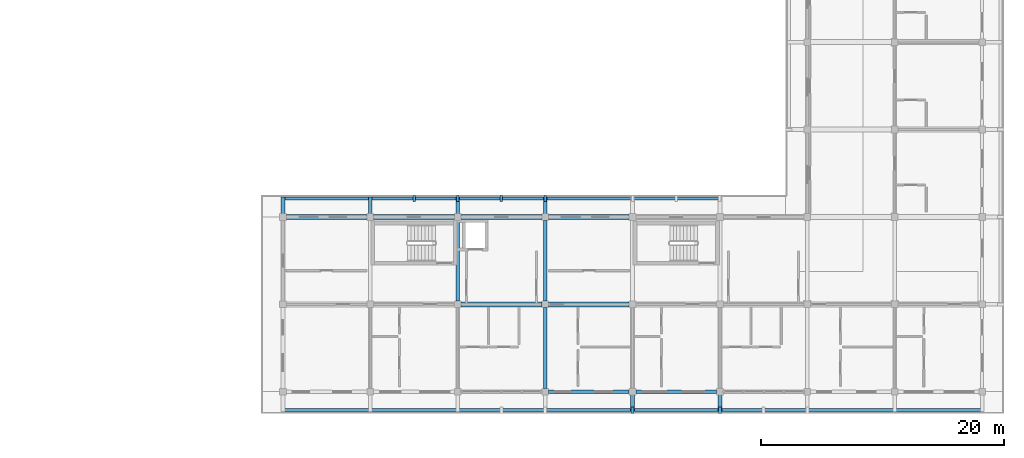
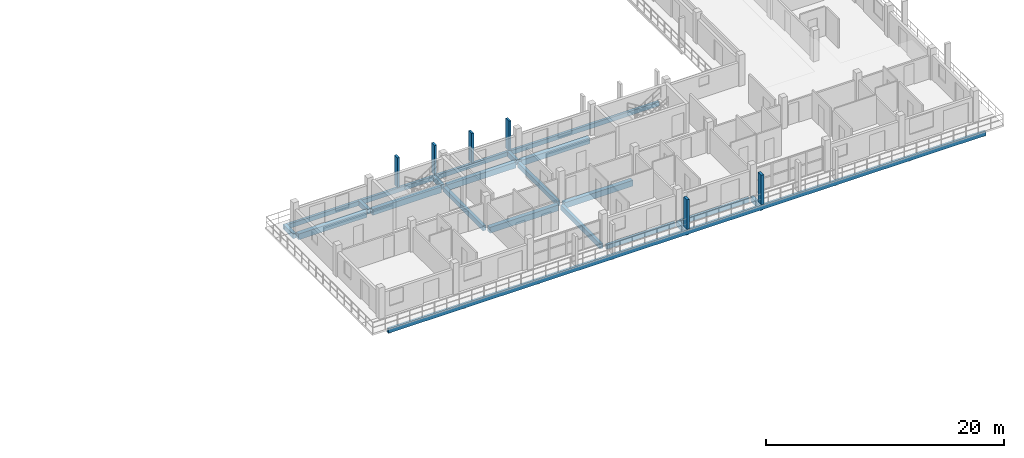
# One storey, part 20 of 67: 19 beams, 6 members.
"""IFC4 building model written with IfcOpenShell, lengths in metres."""

from ifc_helpers import new_model, si_unit, direction, frame, origin, origin_2d, place, context, subcontext, project, spatial, rectangle, extrude, material, material_profile, profile_set, type_object, element, save


model = new_model("IFC4")

# Units and contexts
model_context = context("Model", 3, precision=1e-05, world=origin(), true_north=direction((0.0, 1.0)))
body_context = subcontext(model_context, "Body", "Model", "MODEL_VIEW")
ifc_project = project(units=[si_unit("LENGTHUNIT", "METRE"), si_unit("AREAUNIT", "SQUARE_METRE"), si_unit("VOLUMEUNIT", "CUBIC_METRE"), si_unit("PLANEANGLEUNIT", "RADIAN"), si_unit("MASSUNIT", "GRAM", prefix="KILO")], contexts=[model_context])

# Site, building, storey
site_placement = place(None, origin())
site = spatial("IfcSite", under=ifc_project, at=site_placement, CompositionType="ELEMENT")
building_placement = place(site_placement, origin())
building = spatial("IfcBuilding", under=site, at=building_placement, Name="Suanplinth Sawtooth Commons", CompositionType="ELEMENT")
storey_placement = place(building_placement, frame((0.0, 0.0, 25.10009765625)))
storey = spatial("IfcBuildingStorey", under=building, at=storey_placement, Name="L07", CompositionType="ELEMENT", Elevation=25.10009765625)

# Beams
ifc_material_1 = material(Name="Precast concrete C40/50", Category="concrete")
ifc_material_profile_1 = material_profile(ifc_material_1, rectangle(XDim=0.39990234375, YDim=0.60009765625, at=origin_2d()), Name="PC-GDR 400x600")
ifc_profile_set_1 = profile_set([ifc_material_profile_1], Name="Precast concrete C40/50")
beam_type_1 = type_object("IfcBeamType", Name="B-05", PredefinedType="USERDEFINED", material=ifc_profile_set_1)
beam_1_placement = place(storey_placement, frame((129.875, 14.39990234375, -0.52001953125), z_axis=(1.0, 0.0, 0.0), x_axis=(0.0, 1.0, 0.0)))
element("IfcBeam", 1, at=beam_1_placement, inside=storey, type_object=beam_type_1, Name="BMX-L07-C-18-2", ObjectType="GIRDER", PredefinedType="USERDEFINED", context=body_context, shape_type="SweptSolid", body=[
    extrude(rectangle(XDim=0.39990234375, YDim=0.60009765625, at=origin_2d()), origin(), (0.0, 0.0, 1.0), 6.64990234375),
])
for number, where, z_axis, x_axis, name in (
    (2, (137.074951171875, 14.39990234375, -0.52001953125), (1.0, 0.0, 0.0), (0.0, 1.0, 0.0), "BMX-L07-C-19-2"),
    (3, (144.27490234375, 7.199951171875, -0.52001953125), (1.0, 0.0, 0.0), (0.0, 1.0, 0.0), "BMX-L07-C-20-1"),
    (4, (144.27490234375, 14.39990234375, -0.52001953125), (1.0, 0.0, 0.0), (0.0, 1.0, 0.0), "BMX-L07-C-20-2"),
):
    element("IfcBeam", number, at=place(storey_placement, frame(where, z_axis=z_axis, x_axis=x_axis)), inside=storey, type_object=beam_type_1, Name=name, ObjectType="GIRDER", PredefinedType="USERDEFINED", context=body_context, shape_type="SweptSolid", body=[
        extrude(rectangle(XDim=0.39990234375, YDim=0.60009765625, at=origin_2d()), origin(), (0.0, 0.0, 1.0), 6.650146484375),
    ])
for number, where, z_axis, x_axis, name in (
    (5, (151.47509765625, 7.199951171875, -0.52001953125), (1.0, 0.0, 0.0), (0.0, 1.0, 0.0), "BMX-L07-C-21-1"),
    (6, (151.47509765625, 14.39990234375, -0.52001953125), (1.0, 0.0, 0.0), (0.0, 1.0, 0.0), "BMX-L07-C-21-2"),
):
    element("IfcBeam", number, at=place(storey_placement, frame(where, z_axis=z_axis, x_axis=x_axis)), inside=storey, type_object=beam_type_1, Name=name, ObjectType="GIRDER", PredefinedType="USERDEFINED", context=body_context, shape_type="SweptSolid", body=[
        extrude(rectangle(XDim=0.39990234375, YDim=0.60009765625, at=origin_2d()), origin(), (0.0, 0.0, 1.0), 6.64990234375),
    ])
ifc_material_profile_2 = material_profile(ifc_material_1, rectangle(XDim=0.300048828125, YDim=0.5, at=origin_2d()), Name="PC-BM 300x500")
ifc_profile_set_2 = profile_set([ifc_material_profile_2], Name="Precast concrete C40/50")
beam_type_2 = type_object("IfcBeamType", Name="B-07", PredefinedType="BEAM", material=ifc_profile_set_2)
beam_2_placement = place(storey_placement, frame((144.0, 7.47509765625, -0.47021484375), z_axis=(0.0, 1.0, 0.0), x_axis=(-1.0, 0.0, 0.0)))
element("IfcBeam", 7, at=beam_2_placement, inside=storey, type_object=beam_type_2, Name="BMY-L07-C-20-1", PredefinedType="BEAM", context=body_context, shape_type="SweptSolid", body=[
    extrude(rectangle(XDim=0.300048828125, YDim=0.5, at=origin_2d()), origin(), (0.0, 0.0, 1.0), 6.64990234375),
])
beam_3_placement = place(storey_placement, frame((151.199951171875, 0.27490234375, -0.47021484375), z_axis=(0.0, 1.0, 0.0), x_axis=(-1.0, 0.0, 0.0)))
element("IfcBeam", 8, at=beam_3_placement, inside=storey, type_object=beam_type_2, Name="BMY-L07-C-21-0", PredefinedType="BEAM", context=body_context, shape_type="SweptSolid", body=[
    extrude(rectangle(XDim=0.300048828125, YDim=0.5, at=origin_2d()), origin(), (0.0, 0.0, 1.0), 6.650146484375),
])
beam_4_placement = place(storey_placement, frame((151.199951171875, 7.47509765625, -0.47021484375), z_axis=(0.0, 1.0, 0.0), x_axis=(-1.0, 0.0, 0.0)))
element("IfcBeam", 9, at=beam_4_placement, inside=storey, type_object=beam_type_2, Name="BMY-L07-C-21-1", PredefinedType="BEAM", context=body_context, shape_type="SweptSolid", body=[
    extrude(rectangle(XDim=0.300048828125, YDim=0.5, at=origin_2d()), origin(), (0.0, 0.0, 1.0), 6.64990234375),
])
for number, where, z_axis, x_axis, name in (
    (10, (158.39990234375, 0.0, -0.43017578125), (0.0, -1.0, 0.0), (1.0, 0.0, 0.0), "Balcony Outrigger L07-C-S-22"),
    (11, (165.60009765625, 0.0, -0.43017578125), (0.0, -1.0, 0.0), (1.0, 0.0, 0.0), "Balcony Outrigger L07-C-S-23"),
):
    element("IfcBeam", number, at=place(storey_placement, frame(where, z_axis=z_axis, x_axis=x_axis)), inside=storey, type_object=beam_type_2, Name=name, PredefinedType="BEAM", context=body_context, shape_type="SweptSolid", body=[
        extrude(rectangle(XDim=0.300048828125, YDim=0.5, at=origin_2d()), origin(), (0.0, 0.0, 1.0), 1.639892578125),
    ])
for number, where, z_axis, x_axis, name in (
    (12, (129.60009765625, 14.39990234375, -0.425048828125), (0.0, 1.0, 0.0), (-1.0, 0.0, 0.0), "Balcony Outrigger L07-C-NC-18"),
    (13, (136.800048828125, 14.39990234375, -0.425048828125), (0.0, 1.0, 0.0), (-1.0, 0.0, 0.0), "Balcony Outrigger L07-C-NC-19"),
    (14, (144.0, 14.39990234375, -0.425048828125), (0.0, 1.0, 0.0), (-1.0, 0.0, 0.0), "Balcony Outrigger L07-C-NC-20"),
    (15, (151.199951171875, 14.39990234375, -0.425048828125), (0.0, 1.0, 0.0), (-1.0, 0.0, 0.0), "Balcony Outrigger L07-C-NC-21"),
):
    element("IfcBeam", number, at=place(storey_placement, frame(where, z_axis=z_axis, x_axis=x_axis)), inside=storey, type_object=beam_type_2, Name=name, PredefinedType="BEAM", context=body_context, shape_type="SweptSolid", body=[
        extrude(rectangle(XDim=0.300048828125, YDim=0.5, at=origin_2d()), origin(), (0.0, 0.0, 1.0), 1.64013671875),
    ])
ifc_material_profile_3 = material_profile(ifc_material_1, rectangle(XDim=0.25, YDim=0.449951171875, at=origin_2d()), Name="PC-SP 250x450")
ifc_profile_set_3 = profile_set([ifc_material_profile_3], Name="Precast concrete C40/50")
beam_type_3 = type_object("IfcBeamType", Name="B-09", PredefinedType="SPANDREL", material=ifc_profile_set_3)
for number, where, z_axis, x_axis, name in (
    (16, (151.47509765625, 0.0, -0.445068359375), (1.0, 0.0, 0.0), (0.0, 1.0, 0.0), "BMX-L07-C-21-0"),
    (17, (158.675048828125, 0.0, -0.445068359375), (1.0, 0.0, 0.0), (0.0, 1.0, 0.0), "BMX-L07-C-22-0"),
):
    element("IfcBeam", number, at=place(storey_placement, frame(where, z_axis=z_axis, x_axis=x_axis)), inside=storey, type_object=beam_type_3, Name=name, PredefinedType="SPANDREL", context=body_context, shape_type="SweptSolid", body=[
        extrude(rectangle(XDim=0.25, YDim=0.449951171875, at=origin_2d()), origin(), (0.0, 0.0, 1.0), 6.64990234375),
    ])
beam_5_placement = place(storey_placement, frame((129.449951171875, -1.52001953125, -0.405029296875), z_axis=(1.0, 0.0, 0.0), x_axis=(0.0, 1.0, 0.0)))
element("IfcBeam", 18, at=beam_5_placement, inside=storey, type_object=beam_type_3, Name="Balcony Edge Fascia L07-C-S", PredefinedType="SPANDREL", context=body_context, shape_type="SweptSolid", body=[
    extrude(rectangle(XDim=0.25, YDim=0.449951171875, at=origin_2d()), origin(), (0.0, 0.0, 1.0), 57.900146484375),
])
beam_6_placement = place(storey_placement, frame((129.449951171875, 15.919921875, -0.400146484375), z_axis=(1.0, 0.0, 0.0), x_axis=(0.0, 1.0, 0.0)))
element("IfcBeam", 19, at=beam_6_placement, inside=storey, type_object=beam_type_3, Name="Balcony Edge Fascia L07-C-NC", PredefinedType="SPANDREL", context=body_context, shape_type="SweptSolid", body=[
    extrude(rectangle(XDim=0.25, YDim=0.449951171875, at=origin_2d()), origin(), (0.0, 0.0, 1.0), 36.300048828125),
])

# Members
ifc_material_2 = material(Name="Pigmented precast concrete C40/50", Category="concrete")
ifc_material_profile_4 = material_profile(ifc_material_2, rectangle(XDim=0.25, YDim=0.5400390625, at=origin_2d()), Name="PC-FIN 250x540")
ifc_profile_set_4 = profile_set([ifc_material_profile_4], Name="Pigmented precast concrete C40/50")
member_type_1 = type_object("IfcMemberType", Name="M-11", PredefinedType="USERDEFINED", material=ifc_profile_set_4)
for number, where, z_axis, x_axis, name in (
    (20, (158.39990234375, -1.52001953125, 0.0), (0.0, 0.0, 1.0), (1.0, 0.0, 0.0), "Upright Solar Blade L07-C-S-03"),
    (21, (165.60009765625, -1.52001953125, 0.0), (0.0, 0.0, 1.0), (1.0, 0.0, 0.0), "Upright Solar Blade L07-C-S-04"),
):
    element("IfcMember", number, at=place(storey_placement, frame(where, z_axis=z_axis, x_axis=x_axis)), inside=storey, type_object=member_type_1, Name=name, ObjectType="SHADING FIN", PredefinedType="USERDEFINED", context=body_context, shape_type="SweptSolid", body=[
        extrude(rectangle(XDim=0.25, YDim=0.5400390625, at=origin_2d()), origin(), (0.0, 0.0, 1.0), 3.02978515625),
    ])
ifc_material_profile_5 = material_profile(ifc_material_2, rectangle(XDim=0.2099609375, YDim=0.52001953125, at=origin_2d()), Name="PC-FIN 210x520")
ifc_profile_set_5 = profile_set([ifc_material_profile_5], Name="Pigmented precast concrete C40/50")
member_type_2 = type_object("IfcMemberType", Name="M-12", PredefinedType="USERDEFINED", material=ifc_profile_set_5)
for number, where, z_axis, x_axis, name in (
    (22, (140.39990234375, 15.919921875, 0.0), (0.0, 0.0, 1.0), (1.0, 0.0, 0.0), "Upright Solar Blade L07-C-NC-10"),
    (23, (144.0, 15.919921875, 0.0), (0.0, 0.0, 1.0), (1.0, 0.0, 0.0), "Upright Solar Blade L07-C-NC-11"),
    (24, (147.60009765625, 15.919921875, 0.0), (0.0, 0.0, 1.0), (1.0, 0.0, 0.0), "Upright Solar Blade L07-C-NC-12"),
    (25, (151.199951171875, 15.919921875, 0.0), (0.0, 0.0, 1.0), (1.0, 0.0, 0.0), "Upright Solar Blade L07-C-NC-13"),
):
    element("IfcMember", number, at=place(storey_placement, frame(where, z_axis=z_axis, x_axis=x_axis)), inside=storey, type_object=member_type_2, Name=name, ObjectType="SHADING FIN", PredefinedType="USERDEFINED", context=body_context, shape_type="SweptSolid", body=[
        extrude(rectangle(XDim=0.2099609375, YDim=0.52001953125, at=origin_2d()), origin(), (0.0, 0.0, 1.0), 3.02978515625),
    ])

save(model, "model.ifc")
